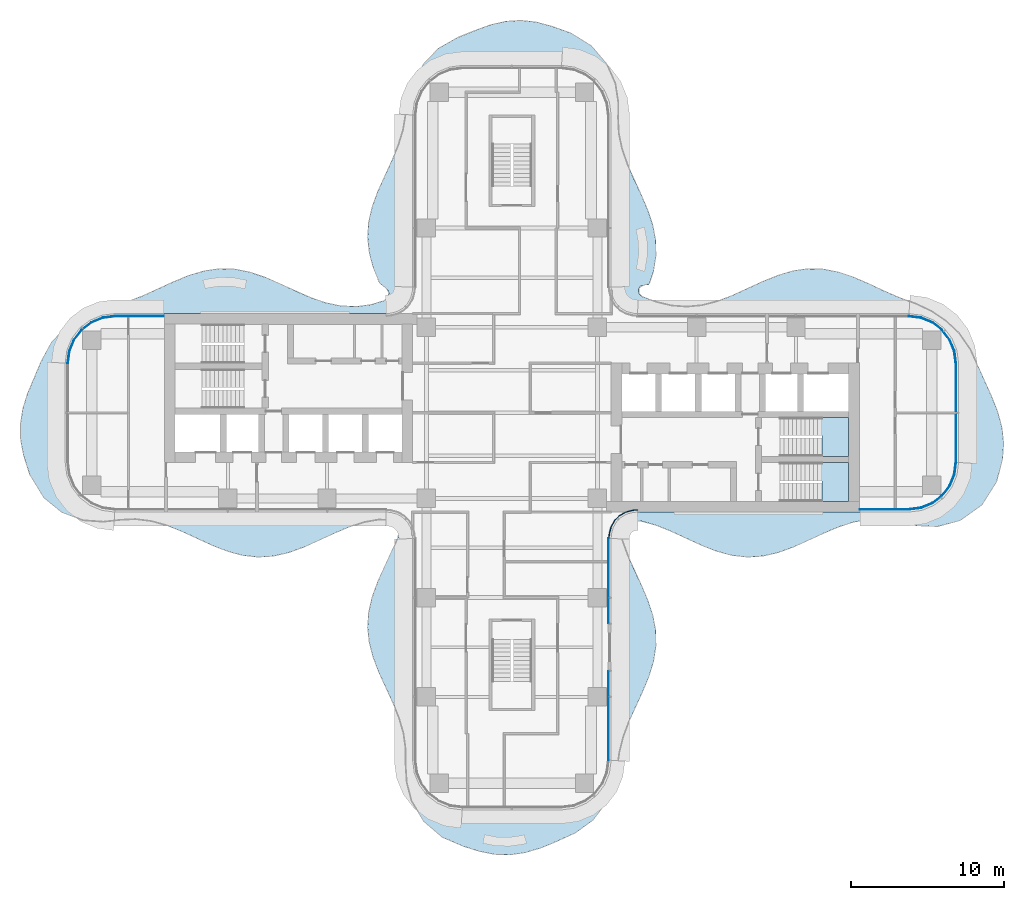
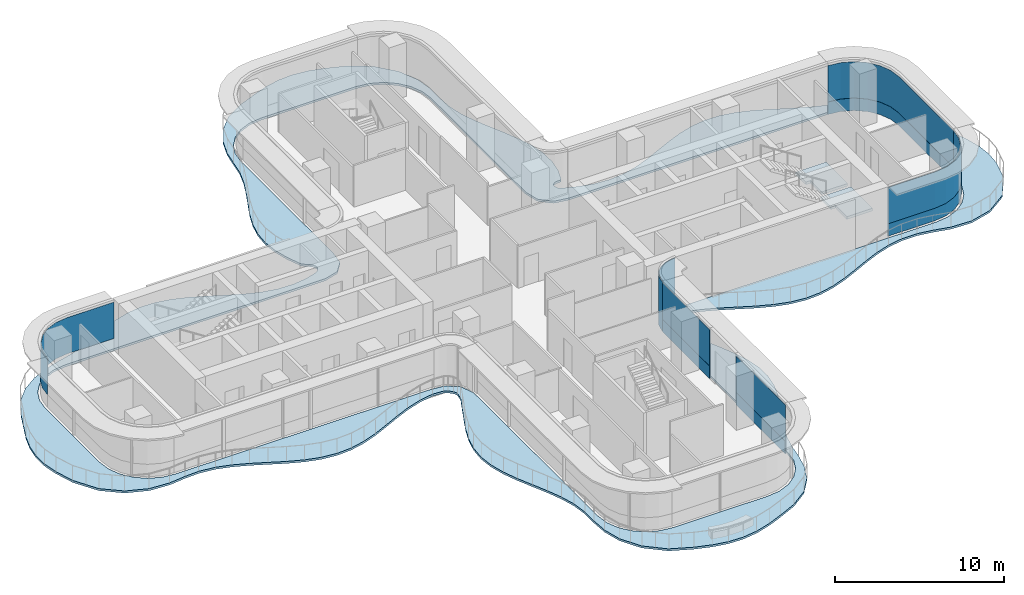
# One storey, part 11 of 18: 10 plates, 3 slabs, 8 elements without a shape of their own.
"""IFC4 building model written with IfcOpenShell, lengths in metres."""

from ifc_helpers import new_model, si_unit, direction, frame, origin, place, context, subcontext, project, spatial, polyline, outline, extrude, source, transform, mapped, material, layer, layer_set, type_object, element, aggregate, save


model = new_model("IFC4")

# Units and contexts
model_context = context("Model", 3, precision=1e-05, world=origin(), true_north=direction((0.0, 1.0)))
body_context = subcontext(model_context, "Body", "Model", "MODEL_VIEW")
ifc_project = project(units=[si_unit("LENGTHUNIT", "METRE"), si_unit("AREAUNIT", "SQUARE_METRE"), si_unit("VOLUMEUNIT", "CUBIC_METRE"), si_unit("PLANEANGLEUNIT", "RADIAN"), si_unit("MASSUNIT", "GRAM", prefix="KILO")], contexts=[model_context])

# Site, building, storey
site_placement = place(None, origin())
site = spatial("IfcSite", under=ifc_project, at=site_placement, CompositionType="ELEMENT")
building_placement = place(site_placement, origin())
building = spatial("IfcBuilding", under=site, at=building_placement, Name="Trellis Farm Tower", CompositionType="ELEMENT")
storey_placement = place(building_placement, frame((0.0, 0.0, 189.300048828125)))
storey = spatial("IfcBuildingStorey", under=building, at=storey_placement, Name="L41", CompositionType="ELEMENT", Elevation=189.300048828125)

# Slab
ifc_material_1 = material(Name="Concrete C40/50", Category="concrete")
ifc_layer_1 = layer(ifc_material_1, 0.14990234375)
ifc_layer_set_1 = layer_set([ifc_layer_1], Name="Balcony slab 150")
slab_type_1 = type_object("IfcSlabType", Name="Balcony slab 150", PredefinedType="FLOOR", material=ifc_layer_set_1)
slab_1_placement = place(storey_placement, frame((0.0, 0.0, -0.150146484375)))
element("IfcSlab", 1, at=slab_1_placement, inside=storey, type_object=slab_type_1, Name="Balcony slab", PredefinedType="FLOOR", context=body_context, shape_type="SweptSolid", body=[
    extrude(outline(polyline([(-18.648681640625, -9.056396484375), (-19.62939453125, -8.671142578125), (-19.63720703125, -8.667724609375), (-21.62890625, -7.753173828125), (-21.632568359375, -7.751708984375), (-22.59814453125, -7.36669921875), (-22.60546875, -7.3642578125), (-23.584716796875, -7.087158203125), (-23.595947265625, -7.084716796875), (-24.635986328125, -6.95654296875), (-24.649169921875, -6.9560546875), (-25.617919921875, -7.00439453125), (-25.622802734375, -7.0048828125), (-26.7138671875, -7.128662109375), (-26.74072265625, -7.129150390625), (-28.035888671875, -7.04248046875), (-28.077880859375, -7.03369140625), (-29.4228515625, -6.5380859375), (-29.4658203125, -6.513671875), (-30.640380859375, -5.55712890625), (-30.673583984375, -5.518798828125), (-31.56494140625, -4.053466796875), (-31.57958984375, -4.02099609375), (-31.97705078125, -2.77099609375), (-31.981689453125, -2.752685546875), (-32.1669921875, -1.752685546875), (-32.16943359375, -1.7275390625), (-32.18310546875, -0.75634765625), (-32.18115234375, -0.73095703125), (-32.028076171875, 0.23974609375), (-32.023193359375, 0.260498046875), (-31.723388671875, 1.235595703125), (-31.71826171875, 1.24951171875), (-30.850341796875, 3.3115234375), (-30.84423828125, 3.324462890625), (-30.17578125, 4.56591796875), (-30.15380859375, 4.596435546875), (-29.29296875, 5.53125), (-29.267333984375, 5.553466796875), (-28.283447265625, 6.226318359375), (-28.26171875, 6.23876953125), (-27.262939453125, 6.69970703125), (-27.242919921875, 6.70751953125), (-26.18359375, 7.021484375), (-26.17919921875, 7.02294921875), (-25.118408203125, 7.301513671875), (-25.110595703125, 7.3037109375), (-24.1279296875, 7.67822265625), (-24.123291015625, 7.68017578125), (-22.148681640625, 8.586181640625), (-22.14306640625, 8.588623046875), (-21.16064453125, 8.9912109375), (-21.146484375, 8.99609375), (-20.14697265625, 9.293212890625), (-20.12548828125, 9.2978515625), (-19.150146484375, 9.4375), (-19.12451171875, 9.438720703125), (-18.15380859375, 9.409912109375), (-18.129150390625, 9.406982421875), (-17.179931640625, 9.220458984375), (-17.160888671875, 9.215576171875), (-16.16162109375, 8.87841796875), (-16.14990234375, 8.873779296875), (-15.169921875, 8.44921875), (-15.166015625, 8.447509765625), (-14.166015625, 7.97998046875), (-14.1640625, 7.979248046875), (-13.162109375, 7.542236328125), (-13.156494140625, 7.5400390625), (-12.20166015625, 7.2099609375), (-12.1923828125, 7.20751953125), (-11.213623046875, 7.002197265625), (-11.201171875, 7.000732421875), (-10.158935546875, 6.961181640625), (-10.14599609375, 6.9619140625), (-9.219970703125, 7.0869140625), (-9.20849609375, 7.089599609375), (-8.385498046875, 7.3369140625), (-8.360595703125, 7.35009765625), (-8.181640625, 7.493408203125), (-8.16357421875, 7.514404296875), (-8.098876953125, 7.627685546875), (-8.0908203125, 7.6484375), (-8.05322265625, 7.816650390625), (-8.056640625, 7.85986328125), (-8.120361328125, 8.02001953125), (-8.131591796875, 8.039306640625), (-8.216796875, 8.14501953125), (-8.228515625, 8.15673828125), (-8.64453125, 8.485107421875), (-8.67138671875, 8.512451171875), (-8.70361328125, 8.554931640625), (-8.7236328125, 8.59130859375), (-9.08349609375, 9.523193359375), (-9.08837890625, 9.5390625), (-9.33984375, 10.493896484375), (-9.343994140625, 10.5166015625), (-9.4462890625, 11.48681640625), (-9.44677734375, 11.5126953125), (-9.38037109375, 12.4853515625), (-9.376708984375, 12.50927734375), (-9.148193359375, 13.489013671875), (-9.14306640625, 13.50634765625), (-8.781982421875, 14.49365234375), (-8.777587890625, 14.50439453125), (-7.870361328125, 16.49072265625), (-7.869384765625, 16.492919921875), (-7.4453125, 17.5068359375), (-7.44287109375, 17.513671875), (-7.132568359375, 18.51123046875), (-7.130126953125, 18.521484375), (-6.791748046875, 20.591552734375), (-6.785888671875, 20.61474609375), (-6.419921875, 21.7138671875), (-6.408203125, 21.740234375), (-5.791259765625, 22.832275390625), (-5.769287109375, 22.862060546875), (-4.8466796875, 23.83056640625), (-4.8125, 23.857177734375), (-3.535888671875, 24.5869140625), (-3.51708984375, 24.595703125), (-2.377685546875, 25.051513671875), (-2.372802734375, 25.053466796875), (-1.394775390625, 25.406005859375), (-1.377197265625, 25.4111328125), (-0.40478515625, 25.632080078125), (-0.380859375, 25.635498046875), (0.58935546875, 25.696044921875), (0.615234375, 25.695556640625), (1.58935546875, 25.5869140625), (1.612060546875, 25.582763671875), (2.611572265625, 25.312255859375), (2.622802734375, 25.30859375), (3.855224609375, 24.867919921875), (3.8837890625, 24.854248046875), (5.172119140625, 24.05615234375), (5.20703125, 24.0263671875), (6.198974609375, 22.870361328125), (6.22216796875, 22.83349609375), (6.7666015625, 21.601318359375), (6.777587890625, 21.563720703125), (6.96533203125, 20.3623046875), (6.967041015625, 20.33740234375), (6.954345703125, 19.267578125), (6.954345703125, 19.26318359375), (7.001708984375, 18.287841796875), (7.003173828125, 18.27587890625), (7.213134765625, 17.282958984375), (7.2158203125, 17.2734375), (7.5751953125, 16.25048828125), (7.577392578125, 16.2451171875), (8.011474609375, 15.260498046875), (8.01220703125, 15.2587890625), (8.476318359375, 14.26611328125), (8.478271484375, 14.26171875), (8.9033203125, 13.2685546875), (8.907958984375, 13.256591796875), (9.226318359375, 12.2939453125), (9.231201171875, 12.2744140625), (9.4140625, 11.303466796875), (9.41650390625, 11.2783203125), (9.43310546875, 10.278076171875), (9.43115234375, 10.252197265625), (9.27734375, 9.281494140625), (9.271484375, 9.257568359375), (9.00634765625, 8.460693359375), (8.95361328125, 8.3876953125), (8.86865234375, 8.358154296875), (8.62060546875, 8.3505859375), (8.600830078125, 8.347412109375), (8.4521484375, 8.301513671875), (8.419189453125, 8.280517578125), (8.322021484375, 8.172607421875), (8.304443359375, 8.1376953125), (8.27587890625, 7.9951171875), (8.27880859375, 7.9560546875), (8.330810546875, 7.8095703125), (8.340087890625, 7.791748046875), (8.3720703125, 7.745849609375), (8.387451171875, 7.729736328125), (8.532470703125, 7.616943359375), (8.552001953125, 7.60595703125), (9.4404296875, 7.272216796875), (9.44921875, 7.26953125), (10.442626953125, 7.03076171875), (10.454345703125, 7.02880859375), (11.44140625, 6.953369140625), (11.4541015625, 6.95361328125), (12.434814453125, 7.048583984375), (12.4462890625, 7.050537109375), (13.42529296875, 7.3017578125), (13.433349609375, 7.30419921875), (14.4150390625, 7.67822265625), (14.41943359375, 7.68017578125), (16.394287109375, 8.586181640625), (16.39990234375, 8.588623046875), (17.38232421875, 8.9912109375), (17.396484375, 8.99609375), (18.396240234375, 9.293212890625), (18.417236328125, 9.2978515625), (19.363037109375, 9.435546875), (19.388427734375, 9.43701171875), (20.360107421875, 9.4130859375), (20.385009765625, 9.410400390625), (21.36279296875, 9.220703125), (21.382080078125, 9.215576171875), (22.367919921875, 8.883544921875), (22.37939453125, 8.87890625), (23.373046875, 8.44921875), (23.376953125, 8.447509765625), (24.369140625, 7.983642578125), (24.370849609375, 7.98291015625), (25.35888671875, 7.55078125), (25.363037109375, 7.549072265625), (26.45654296875, 7.14599609375), (26.46875, 7.140869140625), (27.484130859375, 6.660400390625), (27.504150390625, 6.648681640625), (28.426513671875, 6.02294921875), (28.44482421875, 6.00830078125), (29.2744140625, 5.23193359375), (29.29541015625, 5.20751953125), (30.013427734375, 4.16259765625), (30.0263671875, 4.139404296875), (31.444580078125, 1.005126953125), (31.447998046875, 0.997314453125), (31.833251953125, -0.00146484375), (31.83837890625, -0.017578125), (32.0947265625, -0.998779296875), (32.098876953125, -1.021728515625), (32.197021484375, -1.99560546875), (32.197265625, -2.02099609375), (32.13037109375, -2.985595703125), (32.126220703125, -3.01220703125), (31.7509765625, -4.48779296875), (31.732177734375, -4.531494140625), (30.773193359375, -6.032958984375), (30.754638671875, -6.056396484375), (30.728759765625, -6.083251953125), (30.70654296875, -6.102294921875), (29.373779296875, -7.031005859375), (29.35107421875, -7.044189453125), (29.3203125, -7.058349609375), (29.295654296875, -7.0673828125), (27.888427734375, -7.442138671875), (27.84375, -7.447265625), (26.517578125, -7.39404296875), (26.490234375, -7.390380859375), (25.38330078125, -7.137939453125), (25.37890625, -7.136962890625), (24.40966796875, -6.97509765625), (24.39697265625, -6.97412109375), (23.3544921875, -6.97998046875), (23.341796875, -6.98095703125), (22.362548828125, -7.156982421875), (22.352783203125, -7.15966796875), (21.40185546875, -7.466552734375), (21.395751953125, -7.468994140625), (20.394287109375, -7.892333984375), (20.391845703125, -7.8935546875), (19.390380859375, -8.36083984375), (19.387939453125, -8.362060546875), (18.40478515625, -8.799072265625), (18.394775390625, -8.802978515625), (17.416259765625, -9.156005859375), (17.3984375, -9.1611328125), (16.42626953125, -9.382080078125), (16.40234375, -9.385498046875), (15.432373046875, -9.446044921875), (15.406005859375, -9.445556640625), (14.406005859375, -9.33203125), (14.38330078125, -9.32763671875), (13.40966796875, -9.0615234375), (13.394287109375, -9.056396484375), (12.41357421875, -8.671142578125), (12.40576171875, -8.667724609375), (10.430908203125, -7.76025390625), (10.42724609375, -7.7587890625), (9.41015625, -7.35498046875), (9.40283203125, -7.3525390625), (8.486572265625, -7.09326171875), (8.476318359375, -7.091064453125), (8.3896484375, -7.079345703125), (8.379150390625, -7.07861328125), (7.799072265625, -7.08154296875), (7.78369140625, -7.083251953125), (7.66748046875, -7.10791015625), (7.639892578125, -7.1201171875), (7.543212890625, -7.188720703125), (7.531494140625, -7.198974609375), (7.28271484375, -7.466552734375), (7.273681640625, -7.478515625), (7.21240234375, -7.5791015625), (7.202392578125, -7.60693359375), (7.185546875, -7.723388671875), (7.184814453125, -7.738525390625), (7.215087890625, -8.252197265625), (7.216552734375, -8.262939453125), (7.234619140625, -8.3505859375), (7.237548828125, -8.361083984375), (7.57470703125, -9.291748046875), (7.57666015625, -9.29638671875), (8.011474609375, -10.28271484375), (8.01220703125, -10.2841796875), (8.476318359375, -11.27685546875), (8.478271484375, -11.28125), (8.9033203125, -12.2744140625), (8.907958984375, -12.286376953125), (9.226318359375, -13.2490234375), (9.231201171875, -13.268310546875), (9.4140625, -14.239501953125), (9.41650390625, -14.264892578125), (9.43310546875, -15.264892578125), (9.43115234375, -15.290771484375), (9.278076171875, -16.26123046875), (9.273193359375, -16.281982421875), (8.97900390625, -17.24169921875), (8.97412109375, -17.2548828125), (8.560546875, -18.25390625), (8.558349609375, -18.259033203125), (7.654052734375, -20.2333984375), (7.652099609375, -20.23828125), (7.284423828125, -21.2197265625), (7.28173828125, -21.22802734375), (7.03662109375, -22.21923828125), (7.03515625, -22.2265625), (6.882080078125, -23.2919921875), (6.880126953125, -23.302734375), (6.6455078125, -24.375), (6.637451171875, -24.40087890625), (6.160888671875, -25.542236328125), (6.141845703125, -25.574951171875), (5.3408203125, -26.6318359375), (5.3095703125, -26.66259765625), (4.1494140625, -27.505615234375), (4.123291015625, -27.52099609375), (2.876220703125, -28.086669921875), (2.87109375, -28.0888671875), (1.88916015625, -28.4912109375), (1.875, -28.49609375), (0.87548828125, -28.793212890625), (0.85400390625, -28.7978515625), (-0.121337890625, -28.9375), (-0.147216796875, -28.938720703125), (-1.11767578125, -28.909912109375), (-1.142333984375, -28.906982421875), (-2.113525390625, -28.715087890625), (-2.12939453125, -28.711181640625), (-3.175537109375, -28.3828125), (-3.190185546875, -28.37744140625), (-4.5615234375, -27.785888671875), (-4.6005859375, -27.761474609375), (-5.78515625, -26.73388671875), (-5.816162109375, -26.69677734375), (-6.55810546875, -25.4384765625), (-6.573974609375, -25.400390625), (-6.882568359375, -24.222412109375), (-6.88720703125, -24.194091796875), (-6.95849609375, -23.065673828125), (-6.958984375, -23.055908203125), (-6.95703125, -22.030517578125), (-6.957763671875, -22.020263671875), (-7.09814453125, -20.9853515625), (-7.100341796875, -20.974609375), (-7.385986328125, -19.9951171875), (-7.388427734375, -19.988037109375), (-7.7861328125, -19.00537109375), (-7.78759765625, -19.002197265625), (-8.694580078125, -17.027099609375), (-8.697998046875, -17.0185546875), (-9.077392578125, -16.038330078125), (-9.08251953125, -16.022705078125), (-9.33984375, -15.049072265625), (-9.343994140625, -15.0263671875), (-9.4462890625, -14.056396484375), (-9.44677734375, -14.0302734375), (-9.38037109375, -13.0576171875), (-9.376708984375, -13.03369140625), (-9.148193359375, -12.05419921875), (-9.14306640625, -12.03662109375), (-8.777099609375, -11.03759765625), (-8.773193359375, -11.02783203125), (-8.33154296875, -10.04150390625), (-8.33056640625, -10.039306640625), (-7.478271484375, -8.212646484375), (-7.474365234375, -8.202392578125), (-7.4482421875, -8.11474609375), (-7.44580078125, -8.10400390625), (-7.38720703125, -7.697021484375), (-7.38671875, -7.68017578125), (-7.3974609375, -7.549560546875), (-7.407470703125, -7.517822265625), (-7.47412109375, -7.405029296875), (-7.484375, -7.3916015625), (-7.716552734375, -7.146728515625), (-7.738525390625, -7.130859375), (-7.940673828125, -7.034912109375), (-7.968017578125, -7.02783203125), (-8.7001953125, -6.98291015625), (-8.7177734375, -6.98388671875), (-9.633544921875, -7.1455078125), (-9.643310546875, -7.14794921875), (-10.670166015625, -7.4775390625), (-10.676513671875, -7.479736328125), (-11.648681640625, -7.892333984375), (-11.651123046875, -7.8935546875), (-12.652587890625, -8.36083984375), (-12.655029296875, -8.362060546875), (-13.63818359375, -8.799072265625), (-13.648193359375, -8.802978515625), (-14.626708984375, -9.156005859375), (-14.64453125, -9.1611328125), (-15.61669921875, -9.382080078125), (-15.640625, -9.385498046875), (-16.610595703125, -9.446044921875), (-16.636962890625, -9.445556640625), (-17.636962890625, -9.33203125), (-17.65966796875, -9.32763671875), (-18.63330078125, -9.0615234375), (-18.648681640625, -9.056396484375)]), holes=[polyline([(-6.672119140625, 7.48828125), (-7.201171875, 6.84423828125), (-7.23388671875, 6.814697265625), (-7.279052734375, 6.784423828125), (-7.320068359375, 6.765380859375), (-8.194091796875, 6.5087890625), (-8.236083984375, 6.502685546875), (-21.130615234375, 6.50048828125), (-26.0, 6.50048828125), (-26.84130859375, 6.389892578125), (-27.625244140625, 6.065185546875), (-28.298583984375, 5.548583984375), (-28.815185546875, 4.875244140625), (-29.139892578125, 4.09130859375), (-29.25048828125, 3.25), (-29.25048828125, -3.25), (-29.139892578125, -4.09130859375), (-28.815185546875, -4.875244140625), (-28.298583984375, -5.548583984375), (-27.625244140625, -6.065185546875), (-26.84130859375, -6.389892578125), (-26.0, -6.50048828125), (-8.66748046875, -6.50048828125), (-8.6669921875, -6.50048828125), (-7.740234375, -6.58544921875), (-7.7041015625, -6.59326171875), (-7.66015625, -6.608642578125), (-7.627197265625, -6.625), (-6.92724609375, -7.08642578125), (-6.892822265625, -7.117919921875), (-6.857421875, -7.162109375), (-6.83349609375, -7.2041015625), (-6.5205078125, -8.05517578125), (-6.51123046875, -8.105224609375), (-6.50048828125, -8.99609375), (-6.50048828125, -22.75), (-6.389892578125, -23.59130859375), (-6.065185546875, -24.375244140625), (-5.548583984375, -25.048583984375), (-4.875244140625, -25.565185546875), (-4.09130859375, -25.889892578125), (-3.25, -26.00048828125), (3.25, -26.00048828125), (4.09130859375, -25.889892578125), (4.875244140625, -25.565185546875), (5.548583984375, -25.048583984375), (6.065185546875, -24.375244140625), (6.389892578125, -23.59130859375), (6.50048828125, -22.75), (6.50048828125, -8.321044921875), (6.50439453125, -8.290283203125), (6.720458984375, -7.40380859375), (6.737060546875, -7.363037109375), (6.764404296875, -7.31689453125), (6.79150390625, -7.283203125), (7.401611328125, -6.717041015625), (7.43701171875, -6.692626953125), (7.485107421875, -6.668701171875), (7.526611328125, -6.655517578125), (8.429931640625, -6.502197265625), (8.44775390625, -6.50048828125), (26.0, -6.50048828125), (26.84130859375, -6.389892578125), (27.625244140625, -6.065185546875), (28.298583984375, -5.548583984375), (28.815185546875, -4.875244140625), (29.139892578125, -4.09130859375), (29.25048828125, -3.25), (29.25048828125, 3.25), (29.139892578125, 4.09130859375), (28.815185546875, 4.875244140625), (28.298583984375, 5.548583984375), (27.625244140625, 6.065185546875), (26.84130859375, 6.389892578125), (26.0, 6.50048828125), (8.44775390625, 6.50048828125), (8.429931640625, 6.502197265625), (7.526611328125, 6.655517578125), (7.485107421875, 6.668701171875), (7.43701171875, 6.692626953125), (7.401611328125, 6.717041015625), (6.79150390625, 7.283203125), (6.764404296875, 7.31689453125), (6.737060546875, 7.363037109375), (6.720458984375, 7.40380859375), (6.50439453125, 8.290283203125), (6.50048828125, 8.321044921875), (6.50048828125, 19.5), (6.389892578125, 20.34130859375), (6.065185546875, 21.125244140625), (5.548583984375, 21.798583984375), (4.875244140625, 22.315185546875), (4.09130859375, 22.639892578125), (3.25, 22.75048828125), (-3.25, 22.75048828125), (-4.09130859375, 22.639892578125), (-4.875244140625, 22.315185546875), (-5.548583984375, 21.798583984375), (-6.065185546875, 21.125244140625), (-6.389892578125, 20.34130859375), (-6.50048828125, 19.5), (-6.50048828125, 8.536376953125), (-6.501220703125, 8.526611328125), (-6.618408203125, 7.612548828125), (-6.629638671875, 7.572021484375), (-6.650390625, 7.52392578125), (-6.672119140625, 7.48828125)])]), origin(), (0.0, 0.0, 1.0), 0.150146484375),
])

# Stair, slab
ifc_material_2 = material(Name="Concrete C50/60", Category="concrete")
stair_type = type_object("IfcStairType", Name="CORE EXIT STAIR 22 RISERS 177 MM", PredefinedType="HALF_TURN_STAIR", material=ifc_material_2)
placement_1 = place(storey_placement, origin())
stair_1 = element("IfcStair", 2, at=placement_1, inside=storey, type_object=stair_type, Name="Exit stair E1", PredefinedType="HALF_TURN_STAIR")
ifc_layer_2 = layer(ifc_material_2, 0.18994140625)
ifc_layer_set_2 = layer_set([ifc_layer_2], Name="CORE STAIR LANDING 190 CONCRETE C50/60")
slab_type_2 = type_object("IfcSlabType", Name="CORE STAIR LANDING 190 CONCRETE C50/60", PredefinedType="LANDING", material=ifc_layer_set_2)
shared_shape_1 = source(origin(), body_context, "Body", "SweptSolid", [
    extrude(outline(polyline([(20.2900390625, -5.800048828125), (20.2900390625, -4.60009765625), (20.300048828125, -4.60009765625), (20.300048828125, -4.449951171875), (19.971923828125, -4.449951171875), (19.971923828125, -3.25), (20.300048828125, -3.25), (22.050048828125, -3.25), (22.050048828125, -5.800048828125), (20.300048828125, -5.800048828125), (20.2900390625, -5.800048828125)])), origin(), (0.0, 0.0, 1.0), 0.18994140625),
])
placement_2 = place(storey_placement, frame((0.0, 0.0, 1.760009765625)))
slab_2 = element("IfcSlab", 3, at=placement_2, type_object=slab_type_2, Name="STE1 landing 1", PredefinedType="LANDING", context=body_context, shape_type="MappedRepresentation", body=[
    mapped(shared_shape_1, transform((0.0, 0.0, 0.0))),
])
aggregate(stair_1, [slab_2])

stair_2 = element("IfcStair", 4, at=placement_1, inside=storey, type_object=stair_type, Name="Exit stair E2", PredefinedType="HALF_TURN_STAIR")
shared_shape_2 = source(origin(), body_context, "Body", "SweptSolid", [
    extrude(outline(polyline([(20.2900390625, -2.85009765625), (20.2900390625, -1.64990234375), (20.300048828125, -1.64990234375), (20.300048828125, -1.5), (19.971923828125, -1.5), (19.971923828125, -0.300048828125), (20.300048828125, -0.300048828125), (22.050048828125, -0.300048828125), (22.050048828125, -2.85009765625), (20.300048828125, -2.85009765625), (20.2900390625, -2.85009765625)])), origin(), (0.0, 0.0, 1.0), 0.18994140625),
])
slab_3 = element("IfcSlab", 5, at=placement_2, type_object=slab_type_2, Name="STE2 landing 1", PredefinedType="LANDING", context=body_context, shape_type="MappedRepresentation", body=[
    mapped(shared_shape_2, transform((0.0, 0.0, 0.0))),
])
aggregate(stair_2, [slab_3])

# Curtain wall, plate
ifc_material_3 = material(Name="Aluminium and glass curtain wall", Category="aluminium")
ifc_layer_3 = layer(ifc_material_3, 0.18994140625)
ifc_layer_set_3 = layer_set([ifc_layer_3], Name="RIBBON CURTAIN WALL CW1")
curtain_wall_type_1 = type_object("IfcCurtainWallType", Name="RIBBON CURTAIN WALL CW1", PredefinedType="NOTDEFINED", material=ifc_layer_set_3)
curtain_wall_1 = element("IfcCurtainWall", 6, at=placement_1, inside=storey, type_object=curtain_wall_type_1, Name="CW1 006", PredefinedType="NOTDEFINED")
ifc_material_4 = material(Name="Sandstone faced insulated panel", Category="masonry")
ifc_layer_4 = layer(ifc_material_4, 0.050048828125)
ifc_layer_set_4 = layer_set([ifc_layer_4], Name="CW1 STONE SPANDREL PANEL 50")
plate_type_1 = type_object("IfcPlateType", Name="CW1 STONE SPANDREL PANEL 50", PredefinedType="CURTAIN_PANEL", material=ifc_layer_set_4)
shared_shape_3 = source(origin(), body_context, "Body", "SweptSolid", [
    extrude(outline(polyline([(22.780029296875, -6.35009765625), (25.990234375, -6.35009765625), (26.802001953125, -6.2431640625), (27.54931640625, -5.93359375), (28.191162109375, -5.441162109375), (28.68359375, -4.79931640625), (28.9931640625, -4.052001953125), (29.10009765625, -3.240234375), (29.050048828125, -3.23681640625), (28.9443359375, -4.0390625), (28.639892578125, -4.774169921875), (28.155517578125, -5.405517578125), (27.524169921875, -5.889892578125), (26.7890625, -6.1943359375), (25.98681640625, -6.300048828125), (22.780029296875, -6.300048828125), (22.780029296875, -6.35009765625)])), origin(), (0.0, 0.0, 1.0), 0.89990234375),
])
plate_1 = element("IfcPlate", 7, at=placement_1, type_object=plate_type_1, Name="PS1 006", PredefinedType="CURTAIN_PANEL", context=body_context, shape_type="MappedRepresentation", body=[
    mapped(shared_shape_3, transform((0.0, 0.0, 0.0))),
])

curtain_wall_2 = element("IfcCurtainWall", 8, at=placement_1, inside=storey, type_object=curtain_wall_type_1, Name="CW1 007", PredefinedType="NOTDEFINED")
shared_shape_4 = source(origin(), body_context, "Body", "SweptSolid", [
    extrude(outline(polyline([(29.10009765625, -3.240234375), (29.10009765625, 3.240234375), (28.9931640625, 4.052001953125), (28.68359375, 4.79931640625), (28.191162109375, 5.441162109375), (27.54931640625, 5.93359375), (26.802001953125, 6.2431640625), (25.990234375, 6.35009765625), (25.98681640625, 6.300048828125), (26.7890625, 6.1943359375), (27.524169921875, 5.889892578125), (28.155517578125, 5.405517578125), (28.639892578125, 4.774169921875), (28.9443359375, 4.0390625), (29.050048828125, 3.23681640625), (29.050048828125, -3.23681640625), (29.10009765625, -3.240234375)])), origin(), (0.0, 0.0, 1.0), 0.89990234375),
])
plate_2 = element("IfcPlate", 9, at=placement_1, type_object=plate_type_1, Name="PS1 007", PredefinedType="CURTAIN_PANEL", context=body_context, shape_type="MappedRepresentation", body=[
    mapped(shared_shape_4, transform((0.0, 0.0, 0.0))),
])

curtain_wall_3 = element("IfcCurtainWall", 10, at=placement_1, inside=storey, type_object=curtain_wall_type_1, Name="CW1 004", PredefinedType="NOTDEFINED")
shared_shape_5 = source(origin(), body_context, "Body", "SweptSolid", [
    extrude(outline(polyline([(6.35009765625, -22.740234375), (6.35009765625, -16.909912109375), (6.300048828125, -16.909912109375), (6.300048828125, -22.73681640625), (6.35009765625, -22.740234375)])), origin(), (0.0, 0.0, 1.0), 0.89990234375),
])
plate_3 = element("IfcPlate", 11, at=placement_1, type_object=plate_type_1, Name="PS1 004", PredefinedType="CURTAIN_PANEL", context=body_context, shape_type="MappedRepresentation", body=[
    mapped(shared_shape_5, transform((0.0, 0.0, 0.0))),
])

curtain_wall_4 = element("IfcCurtainWall", 12, at=placement_1, inside=storey, type_object=curtain_wall_type_1, Name="CW1 005", PredefinedType="NOTDEFINED")
shared_shape_6 = source(origin(), body_context, "Body", "SweptSolid", [
    extrude(outline(polyline([(6.35009765625, -13.7900390625), (6.35009765625, -8.2265625), (6.300048828125, -8.224853515625), (6.300048828125, -13.7900390625), (6.35009765625, -13.7900390625)])), origin(), (0.0, 0.0, 1.0), 0.89990234375),
])
plate_4 = element("IfcPlate", 13, at=placement_1, type_object=plate_type_1, Name="PS1 005", PredefinedType="CURTAIN_PANEL", context=body_context, shape_type="MappedRepresentation", body=[
    mapped(shared_shape_6, transform((0.0, 0.0, 0.0))),
])

ifc_layer_5 = layer(ifc_material_3, 0.166015625)
ifc_layer_set_5 = layer_set([ifc_layer_5], Name="WINTER GARDEN CURTAIN WALL CW3")
curtain_wall_type_2 = type_object("IfcCurtainWallType", Name="WINTER GARDEN CURTAIN WALL CW3", PredefinedType="NOTDEFINED", material=ifc_layer_set_5)
curtain_wall_5 = element("IfcCurtainWall", 14, at=placement_1, inside=storey, type_object=curtain_wall_type_2, Name="CW3 002", PredefinedType="NOTDEFINED")
ifc_material_5 = material(Name="Clear insulated glass", Category="glass")
ifc_layer_6 = layer(ifc_material_5, 0.0458984375)
ifc_layer_set_6 = layer_set([ifc_layer_6], Name="CW3 GLASS PANEL 46")
plate_type_2 = type_object("IfcPlateType", Name="CW3 GLASS PANEL 46", PredefinedType="CURTAIN_PANEL", material=ifc_layer_set_6)
shared_shape_7 = source(origin(), body_context, "Body", "SweptSolid", [
    extrude(outline(polyline([(6.3798828125, -8.2275390625), (6.394287109375, -8.0078125), (6.40966796875, -7.89208984375), (6.52490234375, -7.462158203125), (6.7509765625, -7.070556640625), (7.070556640625, -6.7509765625), (7.462158203125, -6.52490234375), (7.89208984375, -6.40966796875), (8.0078125, -6.394287109375), (8.2275390625, -6.3798828125), (8.22607421875, -6.333984375), (8.003173828125, -6.3486328125), (7.883056640625, -6.364501953125), (7.4443359375, -6.48193359375), (7.04248046875, -6.714111328125), (6.714111328125, -7.04248046875), (6.48193359375, -7.4443359375), (6.364501953125, -7.883056640625), (6.3486328125, -8.003173828125), (6.333984375, -8.22607421875), (6.3798828125, -8.2275390625)])), origin(), (0.0, 0.0, 1.0), 3.550048828125),
])
plate_5 = element("IfcPlate", 15, at=placement_1, type_object=plate_type_2, Name="PL3 002", PredefinedType="CURTAIN_PANEL", context=body_context, shape_type="MappedRepresentation", body=[
    mapped(shared_shape_7, transform((0.0, 0.0, 0.0))),
])
aggregate(curtain_wall_5, [plate_5])

# Plate
ifc_layer_7 = layer(ifc_material_5, 0.0400390625)
ifc_layer_set_7 = layer_set([ifc_layer_7], Name="CW1 GLASS PANEL 40")
plate_type_3 = type_object("IfcPlateType", Name="CW1 GLASS PANEL 40", PredefinedType="CURTAIN_PANEL", material=ifc_layer_set_7)
shared_shape_8 = source(origin(), body_context, "Body", "SweptSolid", [
    extrude(outline(polyline([(22.780029296875, -6.35009765625), (25.990234375, -6.35009765625), (26.802001953125, -6.2431640625), (27.54931640625, -5.93359375), (28.191162109375, -5.441162109375), (28.68359375, -4.79931640625), (28.9931640625, -4.052001953125), (29.10009765625, -3.240234375), (29.06005859375, -3.237548828125), (28.9541015625, -4.04150390625), (28.648681640625, -4.779296875), (28.16259765625, -5.41259765625), (27.529296875, -5.898681640625), (26.79150390625, -6.2041015625), (25.987548828125, -6.31005859375), (22.780029296875, -6.31005859375), (22.780029296875, -6.35009765625)])), origin(), (0.0, 0.0, 1.0), 2.6201171875),
])
placement_3 = place(storey_placement, frame((0.0, 0.0, 0.89990234375)))
plate_6 = element("IfcPlate", 16, at=placement_3, type_object=plate_type_3, Name="PL1 006", PredefinedType="CURTAIN_PANEL", context=body_context, shape_type="MappedRepresentation", body=[
    mapped(shared_shape_8, transform((0.0, 0.0, 0.0))),
])

aggregate(curtain_wall_1, [plate_6, plate_1])

shared_shape_9 = source(origin(), body_context, "Body", "SweptSolid", [
    extrude(outline(polyline([(29.10009765625, -3.240234375), (29.10009765625, 3.240234375), (28.9931640625, 4.052001953125), (28.68359375, 4.79931640625), (28.191162109375, 5.441162109375), (27.54931640625, 5.93359375), (26.802001953125, 6.2431640625), (25.990234375, 6.35009765625), (25.987548828125, 6.31005859375), (26.79150390625, 6.2041015625), (27.529296875, 5.898681640625), (28.16259765625, 5.41259765625), (28.648681640625, 4.779296875), (28.9541015625, 4.04150390625), (29.06005859375, 3.237548828125), (29.06005859375, -3.237548828125), (29.10009765625, -3.240234375)])), origin(), (0.0, 0.0, 1.0), 2.6201171875),
])
plate_7 = element("IfcPlate", 17, at=placement_3, type_object=plate_type_3, Name="PL1 007", PredefinedType="CURTAIN_PANEL", context=body_context, shape_type="MappedRepresentation", body=[
    mapped(shared_shape_9, transform((0.0, 0.0, 0.0))),
])

aggregate(curtain_wall_2, [plate_7, plate_2])

# Curtain wall, plate
curtain_wall_6 = element("IfcCurtainWall", 18, at=placement_1, inside=storey, type_object=curtain_wall_type_1, Name="CW1 012", PredefinedType="NOTDEFINED")
shared_shape_10 = source(origin(), body_context, "Body", "SweptSolid", [
    extrude(outline(polyline([(-22.780029296875, 6.35009765625), (-25.990234375, 6.35009765625), (-26.802001953125, 6.2431640625), (-27.54931640625, 5.93359375), (-28.191162109375, 5.441162109375), (-28.68359375, 4.79931640625), (-28.9931640625, 4.052001953125), (-29.10009765625, 3.240234375), (-29.06005859375, 3.237548828125), (-28.9541015625, 4.04150390625), (-28.648681640625, 4.779296875), (-28.16259765625, 5.41259765625), (-27.529296875, 5.898681640625), (-26.79150390625, 6.2041015625), (-25.987548828125, 6.31005859375), (-22.780029296875, 6.31005859375), (-22.780029296875, 6.35009765625)])), origin(), (0.0, 0.0, 1.0), 2.6201171875),
])
plate_8 = element("IfcPlate", 19, at=placement_3, type_object=plate_type_3, Name="PL1 012", PredefinedType="CURTAIN_PANEL", context=body_context, shape_type="MappedRepresentation", body=[
    mapped(shared_shape_10, transform((0.0, 0.0, 0.0))),
])
aggregate(curtain_wall_6, [plate_8])

# Plate
shared_shape_11 = source(origin(), body_context, "Body", "SweptSolid", [
    extrude(outline(polyline([(6.35009765625, -22.740234375), (6.35009765625, -16.909912109375), (6.31005859375, -16.909912109375), (6.31005859375, -22.737548828125), (6.35009765625, -22.740234375)])), origin(), (0.0, 0.0, 1.0), 2.6201171875),
])
plate_9 = element("IfcPlate", 20, at=placement_3, type_object=plate_type_3, Name="PL1 004", PredefinedType="CURTAIN_PANEL", context=body_context, shape_type="MappedRepresentation", body=[
    mapped(shared_shape_11, transform((0.0, 0.0, 0.0))),
])

aggregate(curtain_wall_3, [plate_9, plate_3])

shared_shape_12 = source(origin(), body_context, "Body", "SweptSolid", [
    extrude(outline(polyline([(6.35009765625, -13.7900390625), (6.35009765625, -8.2265625), (6.31005859375, -8.22509765625), (6.31005859375, -13.7900390625), (6.35009765625, -13.7900390625)])), origin(), (0.0, 0.0, 1.0), 2.6201171875),
])
plate_10 = element("IfcPlate", 21, at=placement_3, type_object=plate_type_3, Name="PL1 005", PredefinedType="CURTAIN_PANEL", context=body_context, shape_type="MappedRepresentation", body=[
    mapped(shared_shape_12, transform((0.0, 0.0, 0.0))),
])

aggregate(curtain_wall_4, [plate_10, plate_4])

save(model, "model.ifc")
